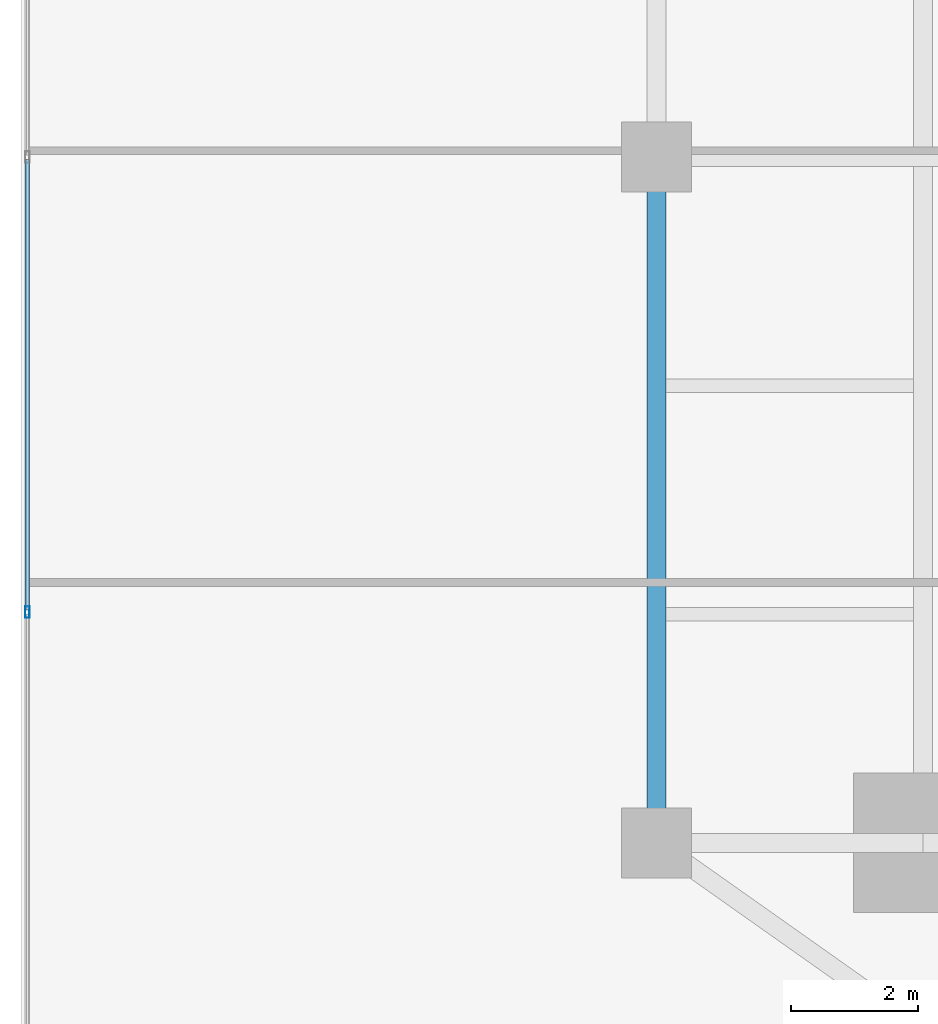
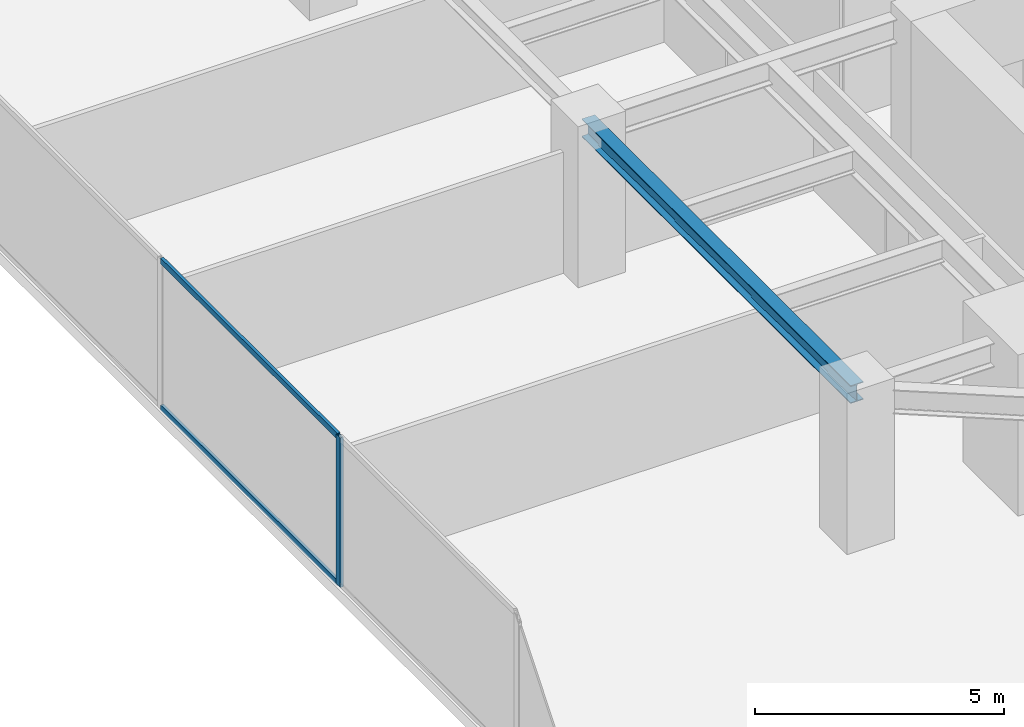
# One storey, part 7 of 28: 3 members, 1 beam, 1 element without a shape of its own.
"""IFC4 building model written with IfcOpenShell, lengths in metres."""

from ifc_helpers import new_model, si_unit, direction, frame, origin, origin_2d, place, context, subcontext, project, spatial, hollow_rectangle, i_section, extrude, source, transform, mapped, material, material_profile, profile_set, type_object, type_shapes, element, aggregate, save


model = new_model("IFC4")

# Units and contexts
model_context = context("Model", 3, precision=1e-05, world=origin(), true_north=direction((0.0, 1.0)))
body_context = subcontext(model_context, "Body", "Model", "MODEL_VIEW")
ifc_project = project(units=[si_unit("LENGTHUNIT", "METRE"), si_unit("AREAUNIT", "SQUARE_METRE"), si_unit("VOLUMEUNIT", "CUBIC_METRE"), si_unit("PLANEANGLEUNIT", "RADIAN"), si_unit("MASSUNIT", "GRAM", prefix="KILO")], contexts=[model_context])

# Site, building, storey
site_placement = place(None, origin())
site = spatial("IfcSite", under=ifc_project, at=site_placement, CompositionType="ELEMENT")
building_placement = place(site_placement, origin())
building = spatial("IfcBuilding", under=site, at=building_placement, Name="Krantzveldt Concourse Tower", CompositionType="ELEMENT")
storey_placement = place(building_placement, frame((0.0, 0.0, 32.89990234375)))
storey = spatial("IfcBuildingStorey", under=building, at=storey_placement, Name="L07", CompositionType="ELEMENT", Elevation=32.89990234375)

# Beam
ifc_material_1 = material(Name="Steel S355JR", Category="steel")
ifc_material_profile_1 = material_profile(ifc_material_1, i_section(OverallWidth=0.300048828125, OverallDepth=0.43994140625, WebThickness=0.011474609375, FlangeThickness=0.02099609375, FilletRadius=0.027099609375, at=origin_2d()), Name="Steel S355JR", Category="steel")
ifc_profile_set_1 = profile_set([ifc_material_profile_1], Name="Steel S355JR - HEA 450")
beam_type = type_object("IfcBeamType", Name="BM-SP-HEA450", PredefinedType="SPANDREL", material=ifc_profile_set_1)
shared_shape_1 = source(origin(), body_context, "Body", "SweptSolid", [
    extrude(i_section(OverallWidth=0.300048828125, OverallDepth=0.43994140625, WebThickness=0.011474609375, FlangeThickness=0.02099609375, FilletRadius=0.027099609375, at=origin_2d()), origin(), (0.0, 0.0, 1.0), 10.800048828125),
])
type_shapes(beam_type, [shared_shape_1])
beam_placement = place(storey_placement, frame((21.0, 15.89990234375, 3.4501953125), z_axis=(0.0, 1.0, 0.0), x_axis=(-1.0, 0.0, 0.0)))
element("IfcBeam", 1, at=beam_placement, inside=storey, type_object=beam_type, Name="L07 Tower Girder SP-R01", PredefinedType="SPANDREL", context=body_context, shape_type="MappedRepresentation", body=[
    mapped(shared_shape_1, transform((0.0, 0.0, 0.0), x_axis=(1.0, 0.0, 0.0), y_axis=(0.0, 1.0, 0.0), z_axis=(0.0, 0.0, 1.0), scale=1.0)),
])

# Curtain wall, members
ifc_material_2 = material(Name="Anodised aluminium 6063-T6", Category="aluminium")
curtain_wall_type = type_object("IfcCurtainWallType", Name="CW2", PredefinedType="USERDEFINED", material=ifc_material_2)
curtain_wall_placement = place(storey_placement, origin())
curtain_wall = element("IfcCurtainWall", 2, at=curtain_wall_placement, inside=storey, type_object=curtain_wall_type, Name="CW-L07-F01", ObjectType="UNITISED CURTAIN WALL", PredefinedType="USERDEFINED")
ifc_material_profile_2 = material_profile(ifc_material_2, hollow_rectangle(XDim=0.070068359375, YDim=0.139892578125, WallThickness=0.0048828125, at=origin_2d()), Name="Anodised aluminium 6063-T6", Category="aluminium")
ifc_profile_set_2 = profile_set([ifc_material_profile_2], Name="Anodised aluminium 6063-T6 - ALU-TRAN 140x70x5")
member_type_1 = type_object("IfcMemberType", Name="CW-TRN-150", PredefinedType="USERDEFINED", material=ifc_profile_set_2)
shared_shape_2 = source(origin(), body_context, "Body", "SweptSolid", [
    extrude(hollow_rectangle(XDim=0.070068359375, YDim=0.139892578125, WallThickness=0.0048828125, at=origin_2d()), origin(), (0.0, 0.0, 1.0), 7.0966796875),
])
type_shapes(member_type_1, [shared_shape_2])
member_1_placement = place(storey_placement, frame((11.090087890625, 26.6650390625, 0.03515625), z_axis=(0.0, -1.0, 0.0), x_axis=(1.0, 0.0, 0.0)))
member_1 = element("IfcMember", 3, at=member_1_placement, type_object=member_type_1, Name="CW-Z12 transom 4.1", ObjectType="TRANSOM", PredefinedType="USERDEFINED", context=body_context, shape_type="MappedRepresentation", body=[
    mapped(shared_shape_2, transform((0.0, 0.0, 0.0), x_axis=(1.0, 0.0, 0.0), y_axis=(0.0, 1.0, 0.0), z_axis=(0.0, 0.0, 1.0), scale=1.0)),
])
member_2_placement = place(storey_placement, frame((11.090087890625, 26.6650390625, 3.635009765625), z_axis=(0.0, -1.0, 0.0), x_axis=(1.0, 0.0, 0.0)))
member_2 = element("IfcMember", 4, at=member_2_placement, type_object=member_type_1, Name="CW-Z12 transom 4.2", ObjectType="TRANSOM", PredefinedType="USERDEFINED", context=body_context, shape_type="MappedRepresentation", body=[
    mapped(shared_shape_2, transform((0.0, 0.0, 0.0), x_axis=(1.0, 0.0, 0.0), y_axis=(0.0, 1.0, 0.0), z_axis=(0.0, 0.0, 1.0), scale=1.0)),
])
ifc_material_profile_3 = material_profile(ifc_material_2, hollow_rectangle(XDim=0.070068359375, YDim=0.179931640625, WallThickness=0.0048828125, at=origin_2d()), Name="Anodised aluminium 6063-T6", Category="aluminium")
ifc_profile_set_3 = profile_set([ifc_material_profile_3], Name="Anodised aluminium 6063-T6 - ALU-MULL 180x70x5")
member_type_2 = type_object("IfcMemberType", Name="CW-MUL-180", PredefinedType="MULLION", material=ifc_profile_set_3)
shared_shape_3 = source(origin(), body_context, "Body", "SweptSolid", [
    extrude(hollow_rectangle(XDim=0.070068359375, YDim=0.179931640625, WallThickness=0.0048828125, at=origin_2d()), origin(), (0.0, 0.0, 1.0), 3.670166015625),
])
type_shapes(member_type_2, [shared_shape_3])
member_3_placement = place(storey_placement, frame((11.090087890625, 19.533447265625, 0.0), z_axis=(0.0, 0.0, 1.0), x_axis=(1.0, 0.0, 0.0)))
member_3 = element("IfcMember", 5, at=member_3_placement, type_object=member_type_2, Name="CW-Z12 mullion 5", PredefinedType="MULLION", context=body_context, shape_type="MappedRepresentation", body=[
    mapped(shared_shape_3, transform((0.0, 0.0, 0.0), x_axis=(1.0, 0.0, 0.0), y_axis=(0.0, 1.0, 0.0), z_axis=(0.0, 0.0, 1.0), scale=1.0)),
])
aggregate(curtain_wall, [member_3, member_1, member_2])

save(model, "model.ifc")
